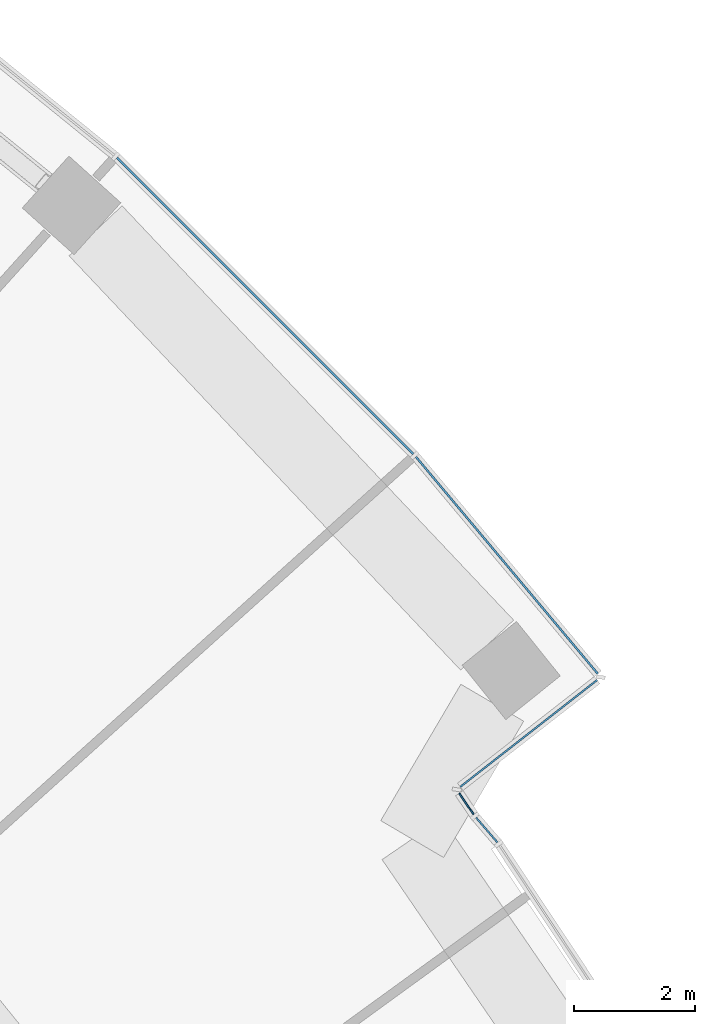
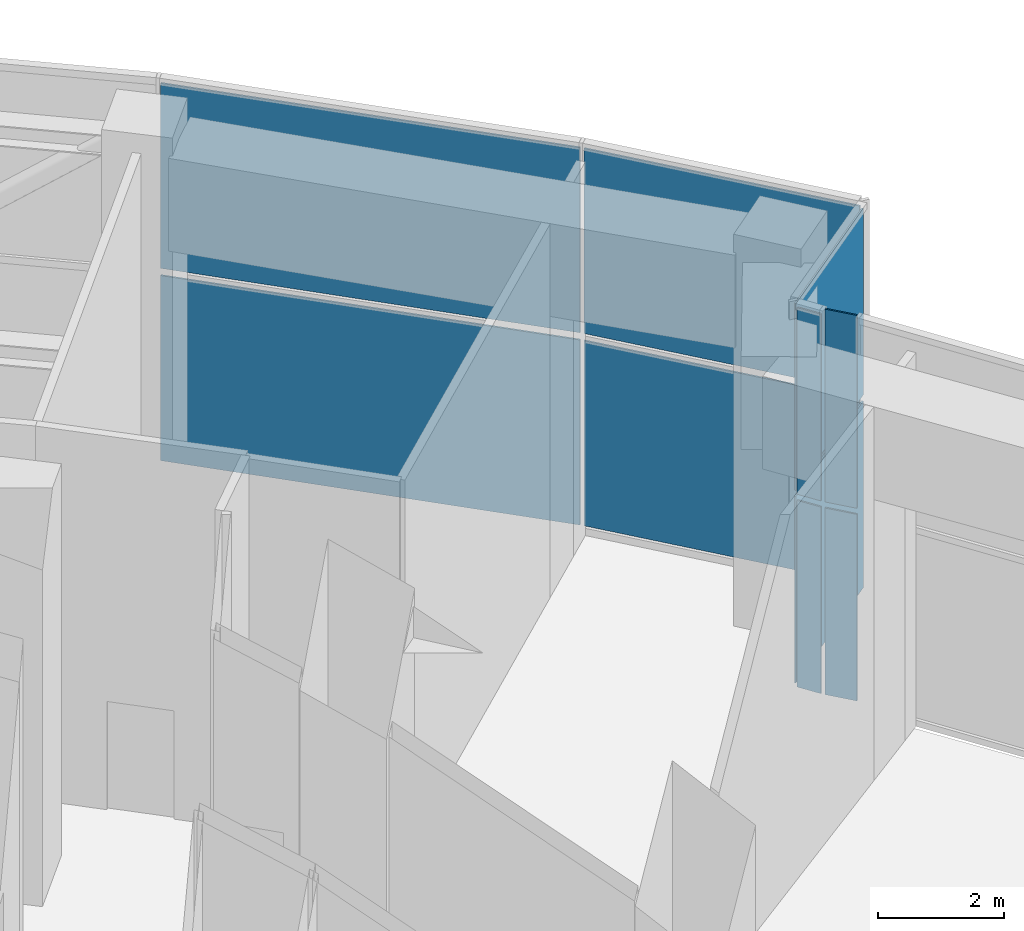
# One storey, part 18 of 30: 10 plates, 4 elements without a shape of their own.
"""IFC4 building model written with IfcOpenShell, lengths in metres."""

from ifc_helpers import new_model, si_unit, direction, frame, origin, origin_2d, place, context, subcontext, project, spatial, rectangle, extrude, material, layer, layer_set, type_object, element, aggregate, save


model = new_model("IFC4")

# Units and contexts
model_context = context("Model", 3, precision=1e-05, world=origin(), true_north=direction((0.0, 1.0)))
body_context = subcontext(model_context, "Body", "Model", "MODEL_VIEW")
ifc_project = project(units=[si_unit("LENGTHUNIT", "METRE"), si_unit("AREAUNIT", "SQUARE_METRE"), si_unit("VOLUMEUNIT", "CUBIC_METRE"), si_unit("PLANEANGLEUNIT", "RADIAN"), si_unit("MASSUNIT", "GRAM", prefix="KILO")], contexts=[model_context])

# Site, building, storey
site_placement = place(None, origin())
site = spatial("IfcSite", under=ifc_project, at=site_placement, CompositionType="ELEMENT")
building_placement = place(site_placement, origin())
building = spatial("IfcBuilding", under=site, at=building_placement, Name="Stone Belt Terrace Tower", CompositionType="ELEMENT")
storey_placement = place(building_placement, frame((0.0, 0.0, 136.39990234375)))
storey = spatial("IfcBuildingStorey", under=building, at=storey_placement, Name="L33", CompositionType="ELEMENT", Elevation=136.39990234375)

# Curtain wall, plates
ifc_material_1 = material(Name="Aluminium 6063-T6 anodised frame", Category="aluminium")
ifc_layer_1 = layer(ifc_material_1, 0.14990234375)
ifc_layer_set_1 = layer_set([ifc_layer_1], Name="CW-A unitised convex-face curtain wall")
curtain_wall_type_1 = type_object("IfcCurtainWallType", Name="CW-A unitised convex-face curtain wall", PredefinedType="NOTDEFINED", material=ifc_layer_set_1)
curtain_wall_1_placement = place(storey_placement, origin())
curtain_wall_1 = element("IfcCurtainWall", 1, at=curtain_wall_1_placement, inside=storey, type_object=curtain_wall_type_1, Name="CW-A convex face L33", PredefinedType="NOTDEFINED")
ifc_material_2 = material(Name="Terracotta coloured glazed ceramic", Category="masonry")
ifc_layer_2 = layer(ifc_material_2, 0.031982421875)
ifc_layer_set_2 = layer_set([ifc_layer_2], Name="CW-A ceramic louvre panel 32")
plate_type_1 = type_object("IfcPlateType", Name="CW-A ceramic louvre panel 32", PredefinedType="CURTAIN_PANEL", material=ifc_layer_set_2)
plate_1_placement = place(storey_placement, frame((50.993896484375, 42.73583984375, 0.14013671875), z_axis=(0.0, 0.0, 1.0), x_axis=(-0.642509184121, 0.766277983711, 0.0)))
plate_1 = element("IfcPlate", 2, at=plate_1_placement, type_object=plate_type_1, Name="CW-A louvre panel 1.1", PredefinedType="CURTAIN_PANEL", context=body_context, shape_type="SweptSolid", body=[
    extrude(rectangle(XDim=4.662841796875, YDim=0.031982421875, at=origin_2d()), origin(), (0.0, 0.0, 1.0), 3.590087890625),
])
plate_2_placement = place(storey_placement, frame((50.993896484375, 42.73583984375, 3.8701171875), z_axis=(0.0, 0.0, 1.0), x_axis=(-0.642509184121, 0.766277983711, 0.0)))
plate_2 = element("IfcPlate", 3, at=plate_2_placement, type_object=plate_type_1, Name="CW-A louvre panel 1.2", PredefinedType="CURTAIN_PANEL", context=body_context, shape_type="SweptSolid", body=[
    extrude(rectangle(XDim=4.662841796875, YDim=0.031982421875, at=origin_2d()), origin(), (0.0, 0.0, 1.0), 3.590087890625),
])
plate_3_placement = place(storey_placement, frame((47.01123046875, 47.01123046875, 0.14013671875), z_axis=(0.0, 0.0, 1.0), x_axis=(-0.707106781187, 0.707106781187, 0.0)))
plate_3 = element("IfcPlate", 4, at=plate_3_placement, type_object=plate_type_1, Name="CW-A louvre panel 2.1", PredefinedType="CURTAIN_PANEL", context=body_context, shape_type="SweptSolid", body=[
    extrude(rectangle(XDim=6.90087890625, YDim=0.031982421875, at=origin_2d()), origin(), (0.0, 0.0, 1.0), 3.590087890625),
])
plate_4_placement = place(storey_placement, frame((47.01123046875, 47.01123046875, 3.8701171875), z_axis=(0.0, 0.0, 1.0), x_axis=(-0.707106781187, 0.707106781187, 0.0)))
plate_4 = element("IfcPlate", 5, at=plate_4_placement, type_object=plate_type_1, Name="CW-A louvre panel 2.2", PredefinedType="CURTAIN_PANEL", context=body_context, shape_type="SweptSolid", body=[
    extrude(rectangle(XDim=6.90087890625, YDim=0.031982421875, at=origin_2d()), origin(), (0.0, 0.0, 1.0), 3.590087890625),
])
aggregate(curtain_wall_1, [plate_1, plate_2, plate_3, plate_4])

ifc_layer_3 = layer(ifc_material_1, 0.14990234375)
ifc_layer_set_3 = layer_set([ifc_layer_3], Name="CW-C stick curtain wall, horn ends and notches")
curtain_wall_type_2 = type_object("IfcCurtainWallType", Name="CW-C stick curtain wall, horn ends and notches", PredefinedType="NOTDEFINED", material=ifc_layer_set_3)
curtain_wall_2_placement = place(storey_placement, origin())
curtain_wall_2 = element("IfcCurtainWall", 6, at=curtain_wall_2_placement, inside=storey, type_object=curtain_wall_type_2, Name="CW-C end face L33", PredefinedType="NOTDEFINED")
ifc_layer_4 = layer(ifc_material_2, 0.028076171875)
ifc_layer_set_4 = layer_set([ifc_layer_4], Name="CW-C ceramic louvre panel 28")
plate_type_2 = type_object("IfcPlateType", Name="CW-C ceramic louvre panel 28", PredefinedType="CURTAIN_PANEL", material=ifc_layer_set_4)
plate_5_placement = place(storey_placement, frame((50.661865234375, 38.37548828125, 0.1201171875), z_axis=(0.0, 0.0, 1.0), x_axis=(-0.652737860281, 0.757583847343, 0.0)))
plate_5 = element("IfcPlate", 7, at=plate_5_placement, type_object=plate_type_2, Name="CW-C louvre panel 1.1", PredefinedType="CURTAIN_PANEL", context=body_context, shape_type="SweptSolid", body=[
    extrude(rectangle(XDim=0.534912109375, YDim=0.028076171875, at=origin_2d()), origin(), (0.0, 0.0, 1.0), 3.6201171875),
])
plate_6_placement = place(storey_placement, frame((50.661865234375, 38.37548828125, 3.85986328125), z_axis=(0.0, 0.0, 1.0), x_axis=(-0.652737860281, 0.757583847343, 0.0)))
plate_6 = element("IfcPlate", 8, at=plate_6_placement, type_object=plate_type_2, Name="CW-C louvre panel 1.2", PredefinedType="CURTAIN_PANEL", context=body_context, shape_type="SweptSolid", body=[
    extrude(rectangle(XDim=0.534912109375, YDim=0.028076171875, at=origin_2d()), origin(), (0.0, 0.0, 1.0), 3.739990234375),
])
aggregate(curtain_wall_2, [plate_5, plate_6])

curtain_wall_3_placement = place(storey_placement, origin())
curtain_wall_3 = element("IfcCurtainWall", 9, at=curtain_wall_3_placement, inside=storey, type_object=curtain_wall_type_2, Name="CW-C end face L33", PredefinedType="NOTDEFINED")
plate_7_placement = place(storey_placement, frame((50.32763671875, 38.806884765625, 0.1201171875), z_axis=(0.0, 0.0, 1.0), x_axis=(-0.560367245622, 0.828244257471, 0.0)))
plate_7 = element("IfcPlate", 10, at=plate_7_placement, type_object=plate_type_2, Name="CW-C louvre panel 1.1", PredefinedType="CURTAIN_PANEL", context=body_context, shape_type="SweptSolid", body=[
    extrude(rectangle(XDim=0.421630859375, YDim=0.028076171875, at=origin_2d()), origin(), (0.0, 0.0, 1.0), 3.6201171875),
])
plate_8_placement = place(storey_placement, frame((50.32763671875, 38.806884765625, 3.860107421875), z_axis=(0.0, 0.0, 1.0), x_axis=(-0.560367245622, 0.828244257471, 0.0)))
plate_8 = element("IfcPlate", 11, at=plate_8_placement, type_object=plate_type_2, Name="CW-C louvre panel 1.2", PredefinedType="CURTAIN_PANEL", context=body_context, shape_type="SweptSolid", body=[
    extrude(rectangle(XDim=0.421630859375, YDim=0.028076171875, at=origin_2d()), origin(), (0.0, 0.0, 1.0), 3.6201171875),
])
aggregate(curtain_wall_3, [plate_7, plate_8])

curtain_wall_4_placement = place(storey_placement, origin())
curtain_wall_4 = element("IfcCurtainWall", 12, at=curtain_wall_4_placement, inside=storey, type_object=curtain_wall_type_2, Name="CW-C notch face L33", PredefinedType="NOTDEFINED")
plate_9_placement = place(storey_placement, frame((51.353515625, 39.966552734375, 0.1201171875), z_axis=(0.0, 0.0, 1.0), x_axis=(0.788458012337, 0.615088581248, 0.0)))
plate_9 = element("IfcPlate", 13, at=plate_9_placement, type_object=plate_type_2, Name="CW-C louvre panel 1.1", PredefinedType="CURTAIN_PANEL", context=body_context, shape_type="SweptSolid", body=[
    extrude(rectangle(XDim=2.859619140625, YDim=0.028076171875, at=origin_2d()), origin(), (0.0, 0.0, 1.0), 3.6201171875),
])
plate_10_placement = place(storey_placement, frame((51.353515625, 39.966552734375, 3.860107421875), z_axis=(0.0, 0.0, 1.0), x_axis=(0.788458012337, 0.615088581248, 0.0)))
plate_10 = element("IfcPlate", 14, at=plate_10_placement, type_object=plate_type_2, Name="CW-C louvre panel 1.2", PredefinedType="CURTAIN_PANEL", context=body_context, shape_type="SweptSolid", body=[
    extrude(rectangle(XDim=2.859619140625, YDim=0.028076171875, at=origin_2d()), origin(), (0.0, 0.0, 1.0), 3.6201171875),
])
aggregate(curtain_wall_4, [plate_9, plate_10])

save(model, "model.ifc")
